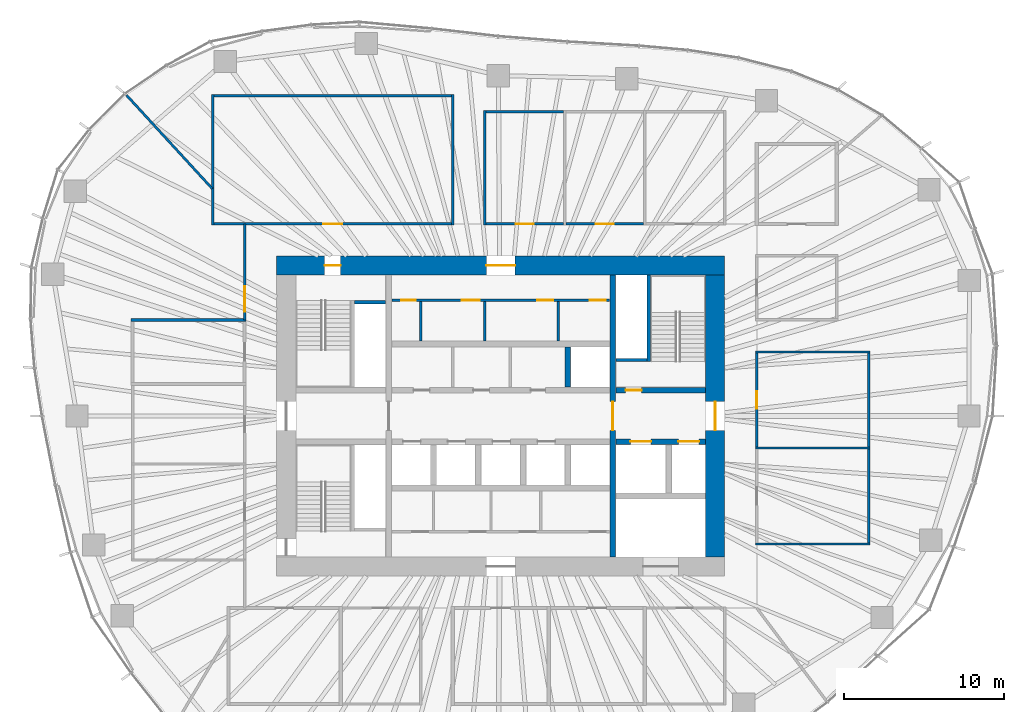
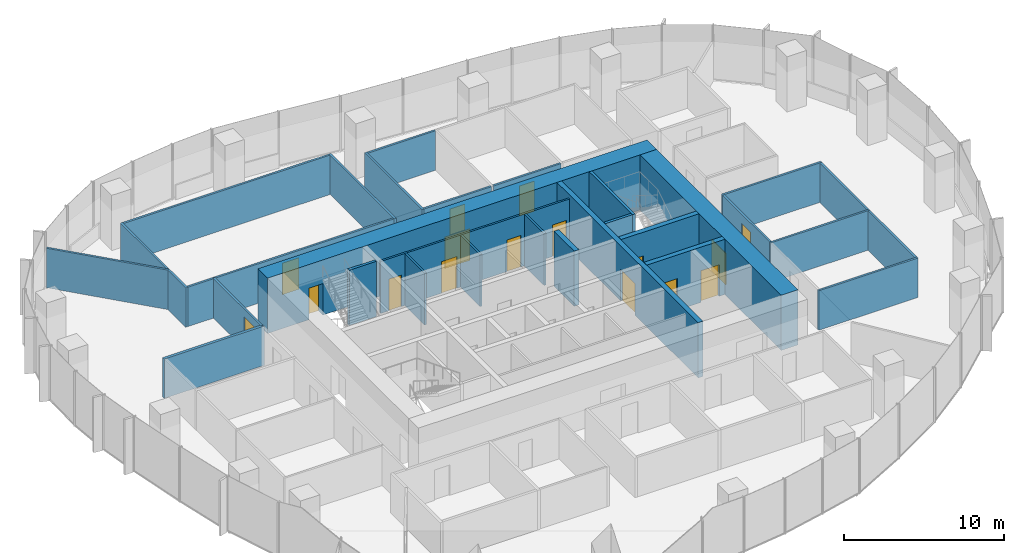
# One storey, part 10 of 18: 30 walls, 16 doors, 16 openings.
"""IFC4 building model written with IfcOpenShell, lengths in metres."""

import ifcopenshell
import ifcopenshell.guid

model = None  # the IFC model being written
_history = None  # IfcOwnerHistory: only IFC2X3 demands one
_inside = {}  # id of a spatial element -> (the spatial element, [elements in it])
_under = {}  # id of a project, library or spatial element -> (it, [spatial elements below it])
_declared = {}  # id of a project -> (the project, [libraries it declares])
_typed = {}  # id of a type object -> (the type object, [elements of that type])
_made_of = {}  # id of a material, layer set ... -> (it, [elements and type objects made of it])


def new_model(schema):
    """Start an empty IFC model of exactly this schema.

    Asked for "IFC4X3", IfcOpenShell would pick the latest addendum, in which some entities
    have other attributes; the version numbers below select the first issue.
    IFC2X3 requires an IfcOwnerHistory on every rooted entity: one is made here for all.
    """
    global model, _history
    if schema == "IFC4X3":
        model = ifcopenshell.file(schema_version=(4, 3, 0, 0))
    else:
        model = ifcopenshell.file(schema=schema)
    _inside.clear()
    _under.clear()
    _declared.clear()
    _typed.clear()
    _made_of.clear()
    _history = None
    if model.schema == "IFC2X3":
        org = make("IfcOrganization", Name="unknown")
        user = make(
            "IfcPersonAndOrganization",
            ThePerson=make("IfcPerson", FamilyName="unknown"),
            TheOrganization=org,
        )
        app = make(
            "IfcApplication",
            ApplicationDeveloper=org,
            Version="unknown",
            ApplicationFullName="unknown",
            ApplicationIdentifier="unknown",
        )
        _history = make(
            "IfcOwnerHistory",
            OwningUser=user,
            OwningApplication=app,
            ChangeAction="ADDED",
            CreationDate=0,
        )
    return model


def make(cls, **values):
    """One entity of the class cls with the attributes given. An attribute that is None is left unset."""
    return model.create_entity(
        cls, **{name: value for name, value in values.items() if value is not None}
    )


def rooted(cls, **values):
    """An entity with a GlobalId (a new one), such as an element, a storey or a relation."""
    return make(cls, GlobalId=ifcopenshell.guid.new(), OwnerHistory=_history, **values)


def si_unit(unit_type, name, prefix=None):
    """IfcSIUnit, for example si_unit("LENGTHUNIT", "METRE", prefix="MILLI")."""
    return make("IfcSIUnit", UnitType=unit_type, Prefix=prefix, Name=name)


def assignment(units):
    """IfcUnitAssignment: the units of a project."""
    return None if units is None else make("IfcUnitAssignment", Units=units)


def point(xyz):
    """IfcCartesianPoint."""
    return None if xyz is None else make("IfcCartesianPoint", Coordinates=xyz)


def direction(xyz):
    """IfcDirection."""
    return None if xyz is None else make("IfcDirection", DirectionRatios=xyz)


def frame(location, z_axis=None, x_axis=None):
    """IfcAxis2Placement3D, a coordinate frame: its origin and axes. An axis left out is left unset."""
    return make(
        "IfcAxis2Placement3D",
        Location=point(location),
        Axis=direction(z_axis),
        RefDirection=direction(x_axis),
    )


def frame_2d(location, x_axis=None):
    """IfcAxis2Placement2D, a coordinate frame in the plane: its origin and x axis."""
    return make(
        "IfcAxis2Placement2D", Location=point(location), RefDirection=direction(x_axis)
    )


def origin():
    """The frame at (0, 0, 0) with its axes left unset."""
    return frame((0.0, 0.0, 0.0))


def place(relative_to, where):
    """IfcLocalPlacement: puts the frame where relative to a parent placement (None: the world)."""
    return make(
        "IfcLocalPlacement", PlacementRelTo=relative_to, RelativePlacement=where
    )


def context(
    kind, dimensions, precision=None, world=None, true_north=None, identifier=None
):
    """IfcGeometricRepresentationContext, for example the 3D "Model" context."""
    return make(
        "IfcGeometricRepresentationContext",
        ContextIdentifier=identifier,
        ContextType=kind,
        CoordinateSpaceDimension=dimensions,
        Precision=precision,
        WorldCoordinateSystem=world,
        TrueNorth=true_north,
    )


def subcontext(parent, identifier, kind, view, scale=None):
    """IfcGeometricRepresentationSubContext, for example "Body" below "Model"."""
    return make(
        "IfcGeometricRepresentationSubContext",
        ContextIdentifier=identifier,
        ContextType=kind,
        ParentContext=parent,
        TargetScale=scale,
        TargetView=view,
    )


def project(units=None, contexts=None):
    """IfcProject with its units and contexts."""
    return rooted(
        "IfcProject",
        Name="project",
        RepresentationContexts=contexts,
        UnitsInContext=assignment(units),
    )


def spatial(cls, under=None, at=None, **own):
    """A site, building, storey or space (cls), placed at a placement, below another one or the project."""
    s = rooted(cls, ObjectPlacement=at, **own)
    if under is not None:
        _under.setdefault(under.id(), (under, []))[1].append(s)
    return s


def profile(cls, at=None, kind="AREA", **sizes):
    """A parametric profile (cls). Its sizes go by their IFC names, for example OverallWidth=200.0."""
    return make(cls, ProfileType=kind, Position=at, **sizes)


def rectangle(**sizes):
    """IfcRectangleProfileDef."""
    return profile("IfcRectangleProfileDef", **sizes)


def extrude(swept, where, along, depth):
    """IfcExtrudedAreaSolid: the profile swept, set in the frame where, extruded along a direction by depth."""
    return make(
        "IfcExtrudedAreaSolid",
        SweptArea=swept,
        Position=where,
        ExtrudedDirection=direction(along),
        Depth=depth,
    )


def shape(context_of_items, identifier, shape_type, items):
    """IfcShapeRepresentation: the items that make up one representation, for example the "Body"."""
    return make(
        "IfcShapeRepresentation",
        ContextOfItems=context_of_items,
        RepresentationIdentifier=identifier,
        RepresentationType=shape_type,
        Items=items,
    )


def material(Name=None, Category=None):
    """IfcMaterial."""
    return make("IfcMaterial", Name=Name, Category=Category)


def layer(
    of_material, thickness, ventilated=None, Name=None, Category=None, Priority=None
):
    """IfcMaterialLayer: one layer of a wall or slab, of a material (None: an air gap)."""
    return make(
        "IfcMaterialLayer",
        Material=of_material,
        LayerThickness=thickness,
        IsVentilated=ventilated,
        Name=Name,
        Category=Category,
        Priority=Priority,
    )


def layer_set(layers, Name=None):
    """IfcMaterialLayerSet."""
    return make("IfcMaterialLayerSet", MaterialLayers=layers, LayerSetName=Name)


def made_of(thing, what):
    """Note that an element or type object is made of a material, layer set ...; save() writes the relation."""
    if what is not None:
        _made_of.setdefault(what.id(), (what, []))[1].append(thing)
    return thing


def type_object(cls, material=None, **own):
    """A type object (cls), such as IfcWallType, which elements share."""
    return made_of(rooted(cls, **own), material)


def element(
    cls,
    number,
    at=None,
    inside=None,
    cuts=None,
    type_object=None,
    material=None,
    context=None,
    identifier="Body",
    shape_type=None,
    held_by="IfcProductDefinitionShape",
    body=None,
    shapes=None,
    **own,
):
    """One element of the class cls, such as IfcWall. Its Tag is "e" and its number.

    at: its placement. inside: the storey or other place that contains it. cuts: it is an
    opening in that element (IfcRelVoidsElement). A single representation is given by context,
    identifier, shape_type and body (its items); several are given by shapes. held_by: the class
    of the entity that holds the representations. save() writes the other relations.
    """
    e = rooted(cls, Tag="e%d" % number, ObjectPlacement=at, **own)
    if body is not None:
        shapes = [shape(context, identifier, shape_type, body)]
    if shapes is not None:
        e.Representation = make(held_by, Representations=shapes)
    if inside is not None:
        _inside.setdefault(inside.id(), (inside, []))[1].append(e)
    if cuts is not None:
        rooted(
            "IfcRelVoidsElement", RelatingBuildingElement=cuts, RelatedOpeningElement=e
        )
    if type_object is not None:
        _typed.setdefault(type_object.id(), (type_object, []))[1].append(e)
    return made_of(e, material)


def fill(opening, filler):
    """IfcRelFillsElement: the door or window that sits in an opening."""
    return rooted(
        "IfcRelFillsElement",
        RelatingOpeningElement=opening,
        RelatedBuildingElement=filler,
    )


def aggregate(whole, parts):
    """IfcRelAggregates: a whole, such as a stair, and the parts it consists of."""
    return rooted("IfcRelAggregates", RelatingObject=whole, RelatedObjects=parts)


def save(model, path):
    """Write the relations noted so far, then the file.

    IfcRelAggregates (storeys below a building ...), IfcRelContainedInSpatialStructure (elements
    in a storey), IfcRelDefinesByType, IfcRelAssociatesMaterial and IfcRelDeclares: one each for
    every whole, place, type object, material and project.
    """
    for whole, parts in _under.values():
        aggregate(whole, parts)
    for where, things in _inside.values():
        rooted(
            "IfcRelContainedInSpatialStructure",
            RelatedElements=things,
            RelatingStructure=where,
        )
    for kind, things in _typed.values():
        rooted("IfcRelDefinesByType", RelatedObjects=things, RelatingType=kind)
    for what, things in _made_of.values():
        rooted("IfcRelAssociatesMaterial", RelatedObjects=things, RelatingMaterial=what)
    for by, libraries in _declared.values():
        rooted("IfcRelDeclares", RelatingContext=by, RelatedDefinitions=libraries)
    model.write(path)


model = new_model("IFC4")

# Units and contexts
model_context = context("Model", 3, precision=1e-05, world=origin(), true_north=direction((0.0, 1.0)))
body_context = subcontext(model_context, "Body", "Model", "MODEL_VIEW")
ifc_project = project(units=[si_unit("LENGTHUNIT", "METRE"), si_unit("AREAUNIT", "SQUARE_METRE"), si_unit("VOLUMEUNIT", "CUBIC_METRE"), si_unit("PLANEANGLEUNIT", "RADIAN"), si_unit("MASSUNIT", "GRAM", prefix="KILO")], contexts=[model_context])

# Site, building, storey
site_placement = place(None, origin())
site = spatial("IfcSite", under=ifc_project, at=site_placement, CompositionType="ELEMENT")
building_placement = place(site_placement, origin())
building = spatial("IfcBuilding", under=site, at=building_placement, Name="Ghaith Harvest Tower", CompositionType="ELEMENT")
storey_placement = place(building_placement, frame((0.0, 0.0, 151.199951171875)))
storey = spatial("IfcBuildingStorey", under=building, at=storey_placement, Name="L32", CompositionType="ELEMENT", Elevation=151.199951171875)

# Wall
ifc_material_1 = material(Name="Twin-stud gypsum board, acoustic", Category="gypsum")
ifc_layer_1 = layer(ifc_material_1, 0.199951171875)
ifc_layer_set_1 = layer_set([ifc_layer_1], Name="ACOUSTIC PARTITION 200")
wall_type_1 = type_object("IfcWallType", Name="ACOUSTIC PARTITION 200", PredefinedType="PARTITIONING", material=ifc_layer_set_1)
wall_1_placement = place(storey_placement, frame((-15.89990234375, 6.0, 0.0), z_axis=(0.0, 0.0, 1.0), x_axis=(-1.0, 0.0, 0.0)))
element("IfcWall", 1, at=wall_1_placement, inside=storey, type_object=wall_type_1, Name="Partition L32 row W6 cross wall 4", PredefinedType="PARTITIONING", context=body_context, shape_type="SweptSolid", body=[
    extrude(rectangle(XDim=7.2001953125, YDim=0.199951171875, at=frame_2d((3.60009765625, 0.0))), origin(), (0.0, 0.0, 1.0), 3.0),
])

# Wall, openings, doors
ifc_material_2 = material(Name="Concrete blockwork, fair-faced", Category="masonry")
ifc_layer_2 = layer(ifc_material_2, 0.139892578125)
ifc_layer_set_2 = layer_set([ifc_layer_2], Name="CORE PARTITION 140")
wall_type_2 = type_object("IfcWallType", Name="CORE PARTITION 140", PredefinedType="PARTITIONING", material=ifc_layer_set_2)
wall_2_placement = place(storey_placement, frame((-6.800048828125, 7.22998046875, 0.0), z_axis=(0.0, 0.0, 1.0), x_axis=(1.0, 0.0, 0.0)))
wall_2 = element("IfcWall", 2, at=wall_2_placement, inside=storey, type_object=wall_type_2, Name="Core partition L32", PredefinedType="PARTITIONING", context=body_context, shape_type="SweptSolid", body=[
    extrude(rectangle(XDim=13.60009765625, YDim=0.139892578125, at=frame_2d((6.800048828125, 0.0))), origin(), (0.0, 0.0, 1.0), 3.949951171875),
])
opening_1_placement = place(wall_2_placement, frame((0.580078125, 0.0, 0.0)))
opening_1 = element("IfcOpeningElement", 3, at=opening_1_placement, cuts=wall_2, Name="Opening 32-008", PredefinedType="OPENING", context=body_context, shape_type="SweptSolid", body=[
    extrude(rectangle(XDim=0.89990234375, YDim=2.39990234375, at=frame_2d((0.449951171875, 1.199951171875))), frame((0.0, 0.080078125, 0.0), z_axis=(0.0, -1.0, 0.0), x_axis=(1.0, 0.0, 0.0)), (0.0, 0.0, 1.0), 0.159912109375),
])
opening_2_placement = place(wall_2_placement, frame((4.3798828125, 0.0, 0.0)))
opening_2 = element("IfcOpeningElement", 4, at=opening_2_placement, cuts=wall_2, Name="Opening 32-009", PredefinedType="OPENING", context=body_context, shape_type="SweptSolid", body=[
    extrude(rectangle(XDim=1.10009765625, YDim=2.39990234375, at=frame_2d((0.550048828125, 1.199951171875))), frame((0.0, 0.080078125, 0.0), z_axis=(0.0, -1.0, 0.0), x_axis=(1.0, 0.0, 0.0)), (0.0, 0.0, 1.0), 0.159912109375),
])
opening_3_placement = place(wall_2_placement, frame((9.080078125, 0.0, 0.0)))
opening_3 = element("IfcOpeningElement", 5, at=opening_3_placement, cuts=wall_2, Name="Opening 32-010", PredefinedType="OPENING", context=body_context, shape_type="SweptSolid", body=[
    extrude(rectangle(XDim=1.0, YDim=2.39990234375, at=frame_2d((0.5, 1.199951171875))), frame((0.0, 0.080078125, 0.0), z_axis=(0.0, -1.0, 0.0), x_axis=(1.0, 0.0, 0.0)), (0.0, 0.0, 1.0), 0.159912109375),
])
opening_4_placement = place(wall_2_placement, frame((12.35009765625, 0.0, 0.0)))
opening_4 = element("IfcOpeningElement", 6, at=opening_4_placement, cuts=wall_2, Name="Opening 32-011", PredefinedType="OPENING", context=body_context, shape_type="SweptSolid", body=[
    extrude(rectangle(XDim=1.0, YDim=2.39990234375, at=frame_2d((0.5, 1.199951171875))), frame((0.0, 0.080078125, 0.0), z_axis=(0.0, -1.0, 0.0), x_axis=(1.0, 0.0, 0.0)), (0.0, 0.0, 1.0), 0.159912109375),
])
ifc_material_3 = material(Name="Steel fire door", Category="steel")
door_type_1 = type_object("IfcDoorType", Name="D3 FD90 1000x2400", OperationType="SINGLE_SWING_LEFT", PredefinedType="DOOR", material=ifc_material_3)
door_1_placement = place(opening_3_placement, origin())
door_1 = element("IfcDoor", 7, at=door_1_placement, inside=storey, type_object=door_type_1, Name="Male WC door", OperationType="SINGLE_SWING_RIGHT", OverallHeight=2.39990234375, OverallWidth=1.0, PredefinedType="DOOR", context=body_context, shape_type="SweptSolid", body=[
    extrude(rectangle(XDim=1.0, YDim=2.39990234375, at=frame_2d((0.5, 1.199951171875))), frame((0.0, 0.02490234375, 0.0), z_axis=(0.0, -1.0, 0.0), x_axis=(1.0, 0.0, 0.0)), (0.0, 0.0, 1.0), 0.050048828125),
])
fill(opening_3, door_1)
door_2_placement = place(opening_4_placement, origin())
door_2 = element("IfcDoor", 8, at=door_2_placement, inside=storey, type_object=door_type_1, Name="Female WC door", OperationType="SINGLE_SWING_RIGHT", OverallHeight=2.39990234375, OverallWidth=1.0, PredefinedType="DOOR", context=body_context, shape_type="SweptSolid", body=[
    extrude(rectangle(XDim=1.0, YDim=2.39990234375, at=frame_2d((0.5, 1.199951171875))), frame((0.0, 0.02490234375, 0.0), z_axis=(0.0, -1.0, 0.0), x_axis=(1.0, 0.0, 0.0)), (0.0, 0.0, 1.0), 0.050048828125),
])
fill(opening_4, door_2)
ifc_material_4 = material(Name="Steel fire door", Category="steel")
door_type_2 = type_object("IfcDoorType", Name="D5 FD90 900x2400", OperationType="SINGLE_SWING_LEFT", PredefinedType="DOOR", material=ifc_material_4)
door_3_placement = place(opening_1_placement, origin())
door_3 = element("IfcDoor", 9, at=door_3_placement, inside=storey, type_object=door_type_2, Name="Cleaner's store door", OperationType="SINGLE_SWING_LEFT", OverallHeight=2.39990234375, OverallWidth=0.89990234375, PredefinedType="DOOR", context=body_context, shape_type="SweptSolid", body=[
    extrude(rectangle(XDim=0.89990234375, YDim=2.39990234375, at=frame_2d((0.449951171875, 1.199951171875))), frame((0.0, 0.02490234375, 0.0), z_axis=(0.0, -1.0, 0.0), x_axis=(1.0, 0.0, 0.0)), (0.0, 0.0, 1.0), 0.050048828125),
])
fill(opening_1, door_3)
ifc_material_5 = material(Name="Steel fire door", Category="steel")
door_type_3 = type_object("IfcDoorType", Name="D9 FD90 1100x2400", OperationType="SINGLE_SWING_LEFT", PredefinedType="DOOR", material=ifc_material_5)
door_4_placement = place(opening_2_placement, origin())
door_4 = element("IfcDoor", 10, at=door_4_placement, inside=storey, type_object=door_type_3, Name="Accessible WC door", OperationType="SINGLE_SWING_LEFT", OverallHeight=2.39990234375, OverallWidth=1.10009765625, PredefinedType="DOOR", context=body_context, shape_type="SweptSolid", body=[
    extrude(rectangle(XDim=1.10009765625, YDim=2.39990234375, at=frame_2d((0.550048828125, 1.199951171875))), frame((0.0, 0.02490234375, 0.0), z_axis=(0.0, -1.0, 0.0), x_axis=(1.0, 0.0, 0.0)), (0.0, 0.0, 1.0), 0.050048828125),
])
fill(opening_2, door_4)

# Walls
for number, where, z_axis, x_axis, name in (
    (11, (-5.0, 4.699951171875, 0.0), (0.0, 0.0, 1.0), (0.0, 1.0, 0.0), "Core partition L32"),
    (12, (-1.0, 4.699951171875, 0.0), (0.0, 0.0, 1.0), (0.0, 1.0, 0.0), "Core partition L32"),
    (13, (3.60009765625, 4.699951171875, 0.0), (0.0, 0.0, 1.0), (0.0, 1.0, 0.0), "Core partition L32"),
):
    element("IfcWall", number, at=place(storey_placement, frame(where, z_axis=z_axis, x_axis=x_axis)), inside=storey, type_object=wall_type_2, Name=name, PredefinedType="PARTITIONING", context=body_context, shape_type="SweptSolid", body=[
        extrude(rectangle(XDim=2.4599609375, YDim=0.139892578125, at=frame_2d((1.22998046875, 0.0))), origin(), (0.0, 0.0, 1.0), 3.949951171875),
    ])

# Wall, openings, doors
ifc_material_6 = material(Name="Concrete C60/75", Category="concrete")
ifc_layer_3 = layer(ifc_material_6, 1.199951171875)
ifc_layer_set_3 = layer_set([ifc_layer_3], Name="CORE WALL CW1200 C60")
wall_type_3 = type_object("IfcWallType", Name="CORE WALL CW1200 C60", PredefinedType="SHEAR", material=ifc_layer_set_3)
wall_3_placement = place(storey_placement, frame((14.0, 9.39990234375, 0.0), z_axis=(0.0, 0.0, 1.0), x_axis=(-1.0, 0.0, 0.0)))
wall_3 = element("IfcWall", 14, at=wall_3_placement, inside=storey, type_object=wall_type_3, Name="Core wall N L32", PredefinedType="SHEAR", context=body_context, shape_type="SweptSolid", body=[
    extrude(rectangle(XDim=28.0, YDim=1.199951171875, at=frame_2d((14.0, 0.0))), origin(), (0.0, 0.0, 1.0), 4.199951171875),
])
opening_5_placement = place(wall_3_placement, frame((24.0, 0.0, 0.0)))
opening_5 = element("IfcOpeningElement", 15, at=opening_5_placement, cuts=wall_3, Name="Opening 32-005", PredefinedType="OPENING", context=body_context, shape_type="SweptSolid", body=[
    extrude(rectangle(XDim=1.0, YDim=2.39990234375, at=frame_2d((0.5, 1.199951171875))), frame((0.0, 0.60986328125, 0.0), z_axis=(0.0, -1.0, 0.0), x_axis=(1.0, 0.0, 0.0)), (0.0, 0.0, 1.0), 1.219970703125),
])
opening_6_placement = place(wall_3_placement, frame((13.10009765625, 0.0, 0.0)))
opening_6 = element("IfcOpeningElement", 16, at=opening_6_placement, cuts=wall_3, Name="Opening 32-019", PredefinedType="OPENING", context=body_context, shape_type="SweptSolid", body=[
    extrude(rectangle(XDim=1.800048828125, YDim=2.39990234375, at=frame_2d((0.89990234375, 1.199951171875))), frame((0.0, 0.60986328125, 0.0), z_axis=(0.0, -1.0, 0.0), x_axis=(1.0, 0.0, 0.0)), (0.0, 0.0, 1.0), 1.219970703125),
])
door_5_placement = place(opening_5_placement, origin())
door_5 = element("IfcDoor", 17, at=door_5_placement, inside=storey, type_object=door_type_1, Name="Stair ST1 door", OperationType="SINGLE_SWING_RIGHT", OverallHeight=2.39990234375, OverallWidth=1.0, PredefinedType="DOOR", context=body_context, shape_type="SweptSolid", body=[
    extrude(rectangle(XDim=1.0, YDim=2.39990234375, at=frame_2d((0.5, 1.199951171875))), frame((0.0, 0.02490234375, 0.0), z_axis=(0.0, -1.0, 0.0), x_axis=(1.0, 0.0, 0.0)), (0.0, 0.0, 1.0), 0.050048828125),
])
fill(opening_5, door_5)
ifc_material_7 = material(Name="Steel fire door", Category="steel")
door_type_4 = type_object("IfcDoorType", Name="D4 FD90 PAIR 1800x2400", OperationType="DOUBLE_DOOR_SINGLE_SWING", PredefinedType="DOOR", material=ifc_material_7)
door_6_placement = place(opening_6_placement, origin())
door_6 = element("IfcDoor", 18, at=door_6_placement, inside=storey, type_object=door_type_4, Name="Core service corridor doors", OperationType="DOUBLE_DOOR_SINGLE_SWING", OverallHeight=2.39990234375, OverallWidth=1.800048828125, PredefinedType="DOOR", context=body_context, shape_type="SweptSolid", body=[
    extrude(rectangle(XDim=1.800048828125, YDim=2.39990234375, at=frame_2d((0.89990234375, 1.199951171875))), frame((0.0, 0.02490234375, 0.0), z_axis=(0.0, -1.0, 0.0), x_axis=(1.0, 0.0, 0.0)), (0.0, 0.0, 1.0), 0.050048828125),
])
fill(opening_6, door_6)

# Wall, opening, door
wall_4_placement = place(storey_placement, frame((13.39990234375, -8.800048828125, 0.0), z_axis=(0.0, 0.0, 1.0), x_axis=(0.0, 1.0, 0.0)))
wall_4 = element("IfcWall", 19, at=wall_4_placement, inside=storey, type_object=wall_type_3, Name="Core wall E L32", PredefinedType="SHEAR", context=body_context, shape_type="SweptSolid", body=[
    extrude(rectangle(XDim=17.60009765625, YDim=1.199951171875, at=frame_2d((8.800048828125, 0.0))), origin(), (0.0, 0.0, 1.0), 4.199951171875),
])
opening_7_placement = place(wall_4_placement, frame((7.89990234375, 0.0, 0.0)))
opening_7 = element("IfcOpeningElement", 20, at=opening_7_placement, cuts=wall_4, Name="Opening 32-002", PredefinedType="OPENING", context=body_context, shape_type="SweptSolid", body=[
    extrude(rectangle(XDim=1.800048828125, YDim=2.39990234375, at=frame_2d((0.89990234375, 1.199951171875))), frame((0.0, 0.60986328125, 0.0), z_axis=(0.0, -1.0, 0.0), x_axis=(1.0, 0.0, 0.0)), (0.0, 0.0, 1.0), 1.219970703125),
])
door_7_placement = place(opening_7_placement, origin())
door_7 = element("IfcDoor", 21, at=door_7_placement, inside=storey, type_object=door_type_4, Name="Fire-fighting lobby doors", OperationType="DOUBLE_DOOR_SINGLE_SWING", OverallHeight=2.39990234375, OverallWidth=1.800048828125, PredefinedType="DOOR", context=body_context, shape_type="SweptSolid", body=[
    extrude(rectangle(XDim=1.800048828125, YDim=2.39990234375, at=frame_2d((0.89990234375, 1.199951171875))), frame((0.0, 0.02490234375, 0.0), z_axis=(0.0, -1.0, 0.0), x_axis=(1.0, 0.0, 0.0)), (0.0, 0.0, 1.0), 0.050048828125),
])
fill(opening_7, door_7)

# Walls
ifc_material_8 = material(Name="Gypsum board on steel studs", Category="steel")
ifc_layer_4 = layer(ifc_material_8, 0.14990234375)
ifc_layer_set_4 = layer_set([ifc_layer_4], Name="PARTITION 150")
wall_type_4 = type_object("IfcWallType", Name="PARTITION 150", PredefinedType="PARTITIONING", material=ifc_layer_set_4)
for number, where, z_axis, x_axis, name in (
    (22, (-18.0, 11.925048828125, 0.0), (0.0, 0.0, 1.0), (0.0, 1.0, 0.0), "Partition L32 row N1 cross wall 1"),
    (23, (-3.0, 11.925048828125, 0.0), (0.0, 0.0, 1.0), (0.0, 1.0, 0.0), "Partition L32 row N1 cross wall 2"),
):
    element("IfcWall", number, at=place(storey_placement, frame(where, z_axis=z_axis, x_axis=x_axis)), inside=storey, type_object=wall_type_4, Name=name, PredefinedType="PARTITIONING", context=body_context, shape_type="SweptSolid", body=[
        extrude(rectangle(XDim=8.14990234375, YDim=0.14990234375, at=frame_2d((4.074951171875, 0.0))), origin(), (0.0, 0.0, 1.0), 3.0),
    ])

# Wall, opening, door
wall_5_placement = place(storey_placement, frame((-17.925048828125, 12.0, 0.0), z_axis=(0.0, 0.0, 1.0), x_axis=(1.0, 0.0, 0.0)))
wall_5 = element("IfcWall", 24, at=wall_5_placement, inside=storey, type_object=wall_type_4, Name="Partition L32-01", PredefinedType="PARTITIONING", context=body_context, shape_type="SweptSolid", body=[
    extrude(rectangle(XDim=14.85009765625, YDim=0.14990234375, at=frame_2d((7.425048828125, 0.0))), origin(), (0.0, 0.0, 1.0), 3.0),
])
opening_8_placement = place(wall_5_placement, frame((6.824951171875, 0.0, 0.0)))
opening_8 = element("IfcOpeningElement", 25, at=opening_8_placement, cuts=wall_5, Name="Opening 32-028", PredefinedType="OPENING", context=body_context, shape_type="SweptSolid", body=[
    extrude(rectangle(XDim=1.199951171875, YDim=2.39990234375, at=frame_2d((0.60009765625, 1.199951171875))), frame((0.0, 0.0849609375, 0.0), z_axis=(0.0, -1.0, 0.0), x_axis=(1.0, 0.0, 0.0)), (0.0, 0.0, 1.0), 0.169921875),
])
ifc_material_9 = material(Name="Timber door", Category="wood")
door_type_5 = type_object("IfcDoorType", Name="D11 GLAZED 1200x2400", OperationType="SINGLE_SWING_LEFT", PredefinedType="DOOR", material=ifc_material_9)
door_8_placement = place(opening_8_placement, origin())
door_8 = element("IfcDoor", 26, at=door_8_placement, inside=storey, type_object=door_type_5, Name="Operations room door", OperationType="SINGLE_SWING_LEFT", OverallHeight=2.39990234375, OverallWidth=1.199951171875, PredefinedType="DOOR", context=body_context, shape_type="SweptSolid", body=[
    extrude(rectangle(XDim=1.199951171875, YDim=2.39990234375, at=frame_2d((0.60009765625, 1.199951171875))), frame((0.0, 0.02490234375, 0.0), z_axis=(0.0, -1.0, 0.0), x_axis=(1.0, 0.0, 0.0)), (0.0, 0.0, 1.0), 0.050048828125),
])
fill(opening_8, door_8)

# Walls
wall_6_placement = place(storey_placement, frame((-17.925048828125, 20.0, 0.0), z_axis=(0.0, 0.0, 1.0), x_axis=(1.0, 0.0, 0.0)))
element("IfcWall", 27, at=wall_6_placement, inside=storey, type_object=wall_type_4, Name="Partition L32-01", PredefinedType="PARTITIONING", context=body_context, shape_type="SweptSolid", body=[
    extrude(rectangle(XDim=14.85009765625, YDim=0.14990234375, at=frame_2d((7.425048828125, 0.0))), origin(), (0.0, 0.0, 1.0), 3.0),
])
wall_7_placement = place(storey_placement, frame((-1.0, 11.925048828125, 0.0), z_axis=(0.0, 0.0, 1.0), x_axis=(0.0, 1.0, 0.0)))
element("IfcWall", 28, at=wall_7_placement, inside=storey, type_object=wall_type_4, Name="Partition L32 row N2 cross wall 1", PredefinedType="PARTITIONING", context=body_context, shape_type="SweptSolid", body=[
    extrude(rectangle(XDim=7.14990234375, YDim=0.14990234375, at=frame_2d((3.574951171875, 0.0))), origin(), (0.0, 0.0, 1.0), 3.0),
])

# Wall, opening, door
wall_8_placement = place(storey_placement, frame((-0.925048828125, 12.0, 0.0), z_axis=(0.0, 0.0, 1.0), x_axis=(1.0, 0.0, 0.0)))
wall_8 = element("IfcWall", 29, at=wall_8_placement, inside=storey, type_object=wall_type_4, Name="Partition L32-02", PredefinedType="PARTITIONING", context=body_context, shape_type="SweptSolid", body=[
    extrude(rectangle(XDim=4.85009765625, YDim=0.14990234375, at=frame_2d((2.425048828125, 0.0))), origin(), (0.0, 0.0, 1.0), 3.0),
])
opening_9_placement = place(wall_8_placement, frame((1.875, 0.0, 0.0)))
opening_9 = element("IfcOpeningElement", 30, at=opening_9_placement, cuts=wall_8, Name="Opening 32-029", PredefinedType="OPENING", context=body_context, shape_type="SweptSolid", body=[
    extrude(rectangle(XDim=1.10009765625, YDim=2.300048828125, at=frame_2d((0.550048828125, 1.14990234375))), frame((0.0, 0.0849609375, 0.0), z_axis=(0.0, -1.0, 0.0), x_axis=(1.0, 0.0, 0.0)), (0.0, 0.0, 1.0), 0.169921875),
])
ifc_material_10 = material(Name="Timber-framed glazed door", Category="wood")
door_type_6 = type_object("IfcDoorType", Name="D12 GLAZED OFFICE 1100x2300", OperationType="SINGLE_SWING_LEFT", PredefinedType="DOOR", material=ifc_material_10)
door_9_placement = place(opening_9_placement, origin())
door_9 = element("IfcDoor", 31, at=door_9_placement, inside=storey, type_object=door_type_6, Name="Office door", OperationType="SINGLE_SWING_LEFT", OverallHeight=2.300048828125, OverallWidth=1.10009765625, PredefinedType="DOOR", context=body_context, shape_type="SweptSolid", body=[
    extrude(rectangle(XDim=1.10009765625, YDim=2.300048828125, at=frame_2d((0.550048828125, 1.14990234375))), frame((0.0, 0.02490234375, 0.0), z_axis=(0.0, -1.0, 0.0), x_axis=(1.0, 0.0, 0.0)), (0.0, 0.0, 1.0), 0.050048828125),
])
fill(opening_9, door_9)

# Wall
wall_9_placement = place(storey_placement, frame((-0.925048828125, 19.0, 0.0), z_axis=(0.0, 0.0, 1.0), x_axis=(1.0, 0.0, 0.0)))
element("IfcWall", 32, at=wall_9_placement, inside=storey, type_object=wall_type_4, Name="Partition L32-02", PredefinedType="PARTITIONING", context=body_context, shape_type="SweptSolid", body=[
    extrude(rectangle(XDim=4.85009765625, YDim=0.14990234375, at=frame_2d((2.425048828125, 0.0))), origin(), (0.0, 0.0, 1.0), 3.0),
])

# Wall, opening, door
wall_10_placement = place(storey_placement, frame((4.074951171875, 12.0, 0.0), z_axis=(0.0, 0.0, 1.0), x_axis=(1.0, 0.0, 0.0)))
wall_10 = element("IfcWall", 33, at=wall_10_placement, inside=storey, type_object=wall_type_4, Name="Partition L32-03", PredefinedType="PARTITIONING", context=body_context, shape_type="SweptSolid", body=[
    extrude(rectangle(XDim=4.85009765625, YDim=0.14990234375, at=frame_2d((2.425048828125, 0.0))), origin(), (0.0, 0.0, 1.0), 3.0),
])
opening_10_placement = place(wall_10_placement, frame((1.875, 0.0, 0.0)))
opening_10 = element("IfcOpeningElement", 34, at=opening_10_placement, cuts=wall_10, Name="Opening 32-030", PredefinedType="OPENING", context=body_context, shape_type="SweptSolid", body=[
    extrude(rectangle(XDim=1.10009765625, YDim=2.300048828125, at=frame_2d((0.550048828125, 1.14990234375))), frame((0.0, 0.0849609375, 0.0), z_axis=(0.0, -1.0, 0.0), x_axis=(1.0, 0.0, 0.0)), (0.0, 0.0, 1.0), 0.169921875),
])
door_10_placement = place(opening_10_placement, origin())
door_10 = element("IfcDoor", 35, at=door_10_placement, inside=storey, type_object=door_type_6, Name="Office door", OperationType="SINGLE_SWING_LEFT", OverallHeight=2.300048828125, OverallWidth=1.10009765625, PredefinedType="DOOR", context=body_context, shape_type="SweptSolid", body=[
    extrude(rectangle(XDim=1.10009765625, YDim=2.300048828125, at=frame_2d((0.550048828125, 1.14990234375))), frame((0.0, 0.02490234375, 0.0), z_axis=(0.0, -1.0, 0.0), x_axis=(1.0, 0.0, 0.0)), (0.0, 0.0, 1.0), 0.050048828125),
])
fill(opening_10, door_10)

# Walls
for number, where, z_axis, x_axis, name in (
    (36, (15.925048828125, -8.0, 0.0), (0.0, 0.0, 1.0), (1.0, 0.0, 0.0), "Partition L32 row E5 cross wall 1"),
    (37, (15.925048828125, -2.0, 0.0), (0.0, 0.0, 1.0), (1.0, 0.0, 0.0), "Partition L32 row E5 cross wall 2"),
    (38, (15.925048828125, 4.0, 0.0), (0.0, 0.0, 1.0), (1.0, 0.0, 0.0), "Partition L32 row E5 cross wall 3"),
):
    element("IfcWall", number, at=place(storey_placement, frame(where, z_axis=z_axis, x_axis=x_axis)), inside=storey, type_object=wall_type_4, Name=name, PredefinedType="PARTITIONING", context=body_context, shape_type="SweptSolid", body=[
        extrude(rectangle(XDim=7.14990234375, YDim=0.14990234375, at=frame_2d((3.574951171875, 0.0))), origin(), (0.0, 0.0, 1.0), 3.0),
    ])
wall_11_placement = place(storey_placement, frame((23.0, -7.925048828125, 0.0), z_axis=(0.0, 0.0, 1.0), x_axis=(0.0, 1.0, 0.0)))
element("IfcWall", 39, at=wall_11_placement, inside=storey, type_object=wall_type_4, Name="Partition L32-10", PredefinedType="PARTITIONING", context=body_context, shape_type="SweptSolid", body=[
    extrude(rectangle(XDim=5.85009765625, YDim=0.14990234375, at=frame_2d((2.925048828125, 0.0))), origin(), (0.0, 0.0, 1.0), 3.0),
])

# Wall, opening, door
wall_12_placement = place(storey_placement, frame((16.0, -1.925048828125, 0.0), z_axis=(0.0, 0.0, 1.0), x_axis=(0.0, 1.0, 0.0)))
wall_12 = element("IfcWall", 40, at=wall_12_placement, inside=storey, type_object=wall_type_4, Name="Partition L32-11", PredefinedType="PARTITIONING", context=body_context, shape_type="SweptSolid", body=[
    extrude(rectangle(XDim=5.85009765625, YDim=0.14990234375, at=frame_2d((2.925048828125, 0.0))), origin(), (0.0, 0.0, 1.0), 3.0),
])
opening_11_placement = place(wall_12_placement, frame((2.375, 0.0, 0.0)))
opening_11 = element("IfcOpeningElement", 41, at=opening_11_placement, cuts=wall_12, Name="Opening 32-038", PredefinedType="OPENING", context=body_context, shape_type="SweptSolid", body=[
    extrude(rectangle(XDim=1.10009765625, YDim=2.300048828125, at=frame_2d((0.550048828125, 1.14990234375))), frame((0.0, 0.0849609375, 0.0), z_axis=(0.0, -1.0, 0.0), x_axis=(1.0, 0.0, 0.0)), (0.0, 0.0, 1.0), 0.169921875),
])
door_11_placement = place(opening_11_placement, origin())
door_11 = element("IfcDoor", 42, at=door_11_placement, inside=storey, type_object=door_type_6, Name="Office door", OperationType="SINGLE_SWING_LEFT", OverallHeight=2.300048828125, OverallWidth=1.10009765625, PredefinedType="DOOR", context=body_context, shape_type="SweptSolid", body=[
    extrude(rectangle(XDim=1.10009765625, YDim=2.300048828125, at=frame_2d((0.550048828125, 1.14990234375))), frame((0.0, 0.02490234375, 0.0), z_axis=(0.0, -1.0, 0.0), x_axis=(1.0, 0.0, 0.0)), (0.0, 0.0, 1.0), 0.050048828125),
])
fill(opening_11, door_11)

# Walls
wall_13_placement = place(storey_placement, frame((23.0, -1.925048828125, 0.0), z_axis=(0.0, 0.0, 1.0), x_axis=(0.0, 1.0, 0.0)))
element("IfcWall", 43, at=wall_13_placement, inside=storey, type_object=wall_type_4, Name="Partition L32-11", PredefinedType="PARTITIONING", context=body_context, shape_type="SweptSolid", body=[
    extrude(rectangle(XDim=5.85009765625, YDim=0.14990234375, at=frame_2d((2.925048828125, 0.0))), origin(), (0.0, 0.0, 1.0), 3.0),
])
wall_14_placement = place(storey_placement, frame((-18.02001953125, 14.200927734375, 0.0), z_axis=(0.0, 0.0, 1.0), x_axis=(-0.676162058246, 0.736752923977, 0.0)))
element("IfcWall", 44, at=wall_14_placement, inside=storey, type_object=wall_type_4, Name="Partition L32 zone division", PredefinedType="PARTITIONING", context=body_context, shape_type="SweptSolid", body=[
    extrude(rectangle(XDim=7.933837890625, YDim=0.14990234375, at=frame_2d((3.966796875, 0.0))), origin(), (0.0, 0.0, 1.0), 3.0),
])

# Wall, opening, door
wall_15_placement = place(storey_placement, frame((-16.0, 12.0, 0.0), z_axis=(0.0, 0.0, 1.0), x_axis=(0.0, -1.0, 0.0)))
wall_15 = element("IfcWall", 45, at=wall_15_placement, inside=storey, type_object=wall_type_4, Name="Partition L32 zone enclosure", PredefinedType="PARTITIONING", context=body_context, shape_type="SweptSolid", body=[
    extrude(rectangle(XDim=6.0, YDim=0.14990234375, at=frame_2d((3.0, 0.0))), origin(), (0.0, 0.0, 1.0), 3.0),
])
opening_12_placement = place(wall_15_placement, frame((3.89990234375, 0.0, 0.0)))
opening_12 = element("IfcOpeningElement", 46, at=opening_12_placement, cuts=wall_15, Name="Opening 32-044", PredefinedType="OPENING", context=body_context, shape_type="SweptSolid", body=[
    extrude(rectangle(XDim=1.60009765625, YDim=2.39990234375, at=frame_2d((0.800048828125, 1.199951171875))), frame((0.0, 0.0849609375, 0.0), z_axis=(0.0, -1.0, 0.0), x_axis=(1.0, 0.0, 0.0)), (0.0, 0.0, 1.0), 0.169921875),
])
ifc_material_11 = material(Name="Timber door", Category="wood")
door_type_7 = type_object("IfcDoorType", Name="D2 PAIR 1600x2400", OperationType="DOUBLE_DOOR_SINGLE_SWING", PredefinedType="DOOR", material=ifc_material_11)
door_12_placement = place(opening_12_placement, origin())
door_12 = element("IfcDoor", 47, at=door_12_placement, inside=storey, type_object=door_type_7, Name="Operations workplace west door", OperationType="DOUBLE_DOOR_SINGLE_SWING", OverallHeight=2.39990234375, OverallWidth=1.60009765625, PredefinedType="DOOR", context=body_context, shape_type="SweptSolid", body=[
    extrude(rectangle(XDim=1.60009765625, YDim=2.39990234375, at=frame_2d((0.800048828125, 1.199951171875))), frame((0.0, 0.02490234375, 0.0), z_axis=(0.0, -1.0, 0.0), x_axis=(1.0, 0.0, 0.0)), (0.0, 0.0, 1.0), 0.050048828125),
])
fill(opening_12, door_12)

ifc_material_12 = material(Name="Concrete C60/75", Category="concrete")
ifc_layer_5 = layer(ifc_material_12, 0.35009765625)
ifc_layer_set_5 = layer_set([ifc_layer_5], Name="SHAFT WALL 350")
wall_type_5 = type_object("IfcWallType", Name="SHAFT WALL 350", PredefinedType="SHEAR", material=ifc_layer_set_5)
wall_16_placement = place(storey_placement, frame((7.0, -8.800048828125, 0.0), z_axis=(0.0, 0.0, 1.0), x_axis=(0.0, 1.0, 0.0)))
wall_16 = element("IfcWall", 48, at=wall_16_placement, inside=storey, type_object=wall_type_5, Name="Shaft wall W7E L32", PredefinedType="SHEAR", context=body_context, shape_type="SweptSolid", body=[
    extrude(rectangle(XDim=17.60009765625, YDim=0.35009765625, at=frame_2d((8.800048828125, 0.0))), origin(), (0.0, 0.0, 1.0), 4.199951171875),
])
opening_13_placement = place(wall_16_placement, frame((7.89990234375, 0.0, 0.0)))
opening_13 = element("IfcOpeningElement", 49, at=opening_13_placement, cuts=wall_16, Name="Opening 32-004", PredefinedType="OPENING", context=body_context, shape_type="SweptSolid", body=[
    extrude(rectangle(XDim=1.800048828125, YDim=2.39990234375, at=frame_2d((0.89990234375, 1.199951171875))), frame((0.0, 0.18505859375, 0.0), z_axis=(0.0, -1.0, 0.0), x_axis=(1.0, 0.0, 0.0)), (0.0, 0.0, 1.0), 0.3701171875),
])
door_13_placement = place(opening_13_placement, origin())
door_13 = element("IfcDoor", 50, at=door_13_placement, inside=storey, type_object=door_type_4, Name="Lift lobby doors, east", OperationType="DOUBLE_DOOR_SINGLE_SWING", OverallHeight=2.39990234375, OverallWidth=1.800048828125, PredefinedType="DOOR", context=body_context, shape_type="SweptSolid", body=[
    extrude(rectangle(XDim=1.800048828125, YDim=2.39990234375, at=frame_2d((0.89990234375, 1.199951171875))), frame((0.0, 0.02490234375, 0.0), z_axis=(0.0, -1.0, 0.0), x_axis=(1.0, 0.0, 0.0)), (0.0, 0.0, 1.0), 0.050048828125),
])
fill(opening_13, door_13)

wall_17_placement = place(storey_placement, frame((7.199951171875, 1.60009765625, 0.0), z_axis=(0.0, 0.0, 1.0), x_axis=(1.0, 0.0, 0.0)))
wall_17 = element("IfcWall", 51, at=wall_17_placement, inside=storey, type_object=wall_type_5, Name="Shaft wall EN L32", PredefinedType="SHEAR", context=body_context, shape_type="SweptSolid", body=[
    extrude(rectangle(XDim=5.60009765625, YDim=0.35009765625, at=frame_2d((2.800048828125, 0.0))), origin(), (0.0, 0.0, 1.0), 4.199951171875),
])
opening_14_placement = place(wall_17_placement, frame((0.60009765625, 0.0, 0.0)))
opening_14 = element("IfcOpeningElement", 52, at=opening_14_placement, cuts=wall_17, Name="Opening 32-007", PredefinedType="OPENING", context=body_context, shape_type="SweptSolid", body=[
    extrude(rectangle(XDim=1.0, YDim=2.39990234375, at=frame_2d((0.5, 1.199951171875))), frame((0.0, 0.18505859375, 0.0), z_axis=(0.0, -1.0, 0.0), x_axis=(1.0, 0.0, 0.0)), (0.0, 0.0, 1.0), 0.3701171875),
])
door_14_placement = place(opening_14_placement, origin())
door_14 = element("IfcDoor", 53, at=door_14_placement, inside=storey, type_object=door_type_1, Name="Stair ST2 door", OperationType="SINGLE_SWING_LEFT", OverallHeight=2.39990234375, OverallWidth=1.0, PredefinedType="DOOR", context=body_context, shape_type="SweptSolid", body=[
    extrude(rectangle(XDim=1.0, YDim=2.39990234375, at=frame_2d((0.5, 1.199951171875))), frame((0.0, 0.02490234375, 0.0), z_axis=(0.0, -1.0, 0.0), x_axis=(1.0, 0.0, 0.0)), (0.0, 0.0, 1.0), 0.050048828125),
])
fill(opening_14, door_14)

# Wall, openings, doors
wall_18_placement = place(storey_placement, frame((7.199951171875, -1.60009765625, 0.0), z_axis=(0.0, 0.0, 1.0), x_axis=(1.0, 0.0, 0.0)))
wall_18 = element("IfcWall", 54, at=wall_18_placement, inside=storey, type_object=wall_type_5, Name="Shaft wall ES L32", PredefinedType="SHEAR", context=body_context, shape_type="SweptSolid", body=[
    extrude(rectangle(XDim=5.60009765625, YDim=0.35009765625, at=frame_2d((2.800048828125, 0.0))), origin(), (0.0, 0.0, 1.0), 4.199951171875),
])
opening_15_placement = place(wall_18_placement, frame((0.89990234375, 0.0, 0.0)))
opening_15 = element("IfcOpeningElement", 55, at=opening_15_placement, cuts=wall_18, Name="Opening 32-025", PredefinedType="OPENING", context=body_context, shape_type="SweptSolid", body=[
    extrude(rectangle(XDim=1.300048828125, YDim=2.39990234375, at=frame_2d((0.64990234375, 1.199951171875))), frame((0.0, 0.18505859375, 0.0), z_axis=(0.0, -1.0, 0.0), x_axis=(1.0, 0.0, 0.0)), (0.0, 0.0, 1.0), 0.3701171875),
])
opening_16_placement = place(wall_18_placement, frame((3.89990234375, 0.0, 0.0)))
opening_16 = element("IfcOpeningElement", 56, at=opening_16_placement, cuts=wall_18, Name="Opening 32-026", PredefinedType="OPENING", context=body_context, shape_type="SweptSolid", body=[
    extrude(rectangle(XDim=1.300048828125, YDim=2.39990234375, at=frame_2d((0.64990234375, 1.199951171875))), frame((0.0, 0.18505859375, 0.0), z_axis=(0.0, -1.0, 0.0), x_axis=(1.0, 0.0, 0.0)), (0.0, 0.0, 1.0), 0.3701171875),
])
ifc_material_13 = material(Name="Steel fire door", Category="steel")
door_type_8 = type_object("IfcDoorType", Name="LD2 LANDING 1300x2400", OperationType="DOUBLE_DOOR_SLIDING", PredefinedType="DOOR", material=ifc_material_13)
door_15_placement = place(opening_15_placement, origin())
door_15 = element("IfcDoor", 57, at=door_15_placement, inside=storey, type_object=door_type_8, Name="Landing door, fire service lift FL1", OperationType="DOUBLE_DOOR_SLIDING", OverallHeight=2.39990234375, OverallWidth=1.300048828125, PredefinedType="DOOR", context=body_context, shape_type="SweptSolid", body=[
    extrude(rectangle(XDim=1.300048828125, YDim=2.39990234375, at=frame_2d((0.64990234375, 1.199951171875))), frame((0.0, 0.02490234375, 0.0), z_axis=(0.0, -1.0, 0.0), x_axis=(1.0, 0.0, 0.0)), (0.0, 0.0, 1.0), 0.050048828125),
])
fill(opening_15, door_15)
door_16_placement = place(opening_16_placement, origin())
door_16 = element("IfcDoor", 58, at=door_16_placement, inside=storey, type_object=door_type_8, Name="Landing door, fire service lift FL2", OperationType="DOUBLE_DOOR_SLIDING", OverallHeight=2.39990234375, OverallWidth=1.300048828125, PredefinedType="DOOR", context=body_context, shape_type="SweptSolid", body=[
    extrude(rectangle(XDim=1.300048828125, YDim=2.39990234375, at=frame_2d((0.64990234375, 1.199951171875))), frame((0.0, 0.02490234375, 0.0), z_axis=(0.0, -1.0, 0.0), x_axis=(1.0, 0.0, 0.0)), (0.0, 0.0, 1.0), 0.050048828125),
])
fill(opening_16, door_16)

# Walls
wall_19_placement = place(storey_placement, frame((4.199951171875, 1.800048828125, 0.0), z_axis=(0.0, 0.0, 1.0), x_axis=(0.0, 1.0, 0.0)))
element("IfcWall", 59, at=wall_19_placement, inside=storey, type_object=wall_type_5, Name="Shaft wall DN4 L32", PredefinedType="SHEAR", context=body_context, shape_type="SweptSolid", body=[
    extrude(rectangle(XDim=2.5, YDim=0.35009765625, at=frame_2d((1.25, 0.0))), origin(), (0.0, 0.0, 1.0), 4.199951171875),
])
ifc_material_14 = material(Name="Concrete C40/50", Category="concrete")
ifc_layer_6 = layer(ifc_material_14, 0.199951171875)
ifc_layer_set_6 = layer_set([ifc_layer_6], Name="STAIR SPINE WALL RC200")
wall_type_6 = type_object("IfcWallType", Name="STAIR SPINE WALL RC200", PredefinedType="SOLIDWALL", material=ifc_layer_set_6)
wall_20_placement = place(storey_placement, frame((-9.14990234375, 7.10009765625, 0.0), z_axis=(0.0, 0.0, 1.0), x_axis=(1.0, 0.0, 0.0)))
element("IfcWall", 60, at=wall_20_placement, inside=storey, type_object=wall_type_6, Name="Stair ST1 spine wall return L32", PredefinedType="SOLIDWALL", context=body_context, shape_type="SweptSolid", body=[
    extrude(rectangle(XDim=1.949951171875, YDim=0.199951171875, at=frame_2d((0.97509765625, 0.0))), origin(), (0.0, 0.0, 1.0), 4.199951171875),
])
wall_21_placement = place(storey_placement, frame((9.25, 3.39990234375, 0.0), z_axis=(0.0, 0.0, 1.0), x_axis=(0.0, 1.0, 0.0)))
element("IfcWall", 61, at=wall_21_placement, inside=storey, type_object=wall_type_6, Name="Stair ST2 spine wall L32", PredefinedType="SOLIDWALL", context=body_context, shape_type="SweptSolid", body=[
    extrude(rectangle(XDim=5.400146484375, YDim=0.199951171875, at=frame_2d((2.7001953125, 0.0))), origin(), (0.0, 0.0, 1.0), 4.199951171875),
])
wall_22_placement = place(storey_placement, frame((9.14990234375, 3.5, 0.0), z_axis=(0.0, 0.0, 1.0), x_axis=(-1.0, 0.0, 0.0)))
element("IfcWall", 62, at=wall_22_placement, inside=storey, type_object=wall_type_6, Name="Stair ST2 spine wall return L32", PredefinedType="SOLIDWALL", context=body_context, shape_type="SweptSolid", body=[
    extrude(rectangle(XDim=1.949951171875, YDim=0.199951171875, at=frame_2d((0.97509765625, 0.0))), origin(), (0.0, 0.0, 1.0), 4.199951171875),
])

save(model, "model.ifc")
